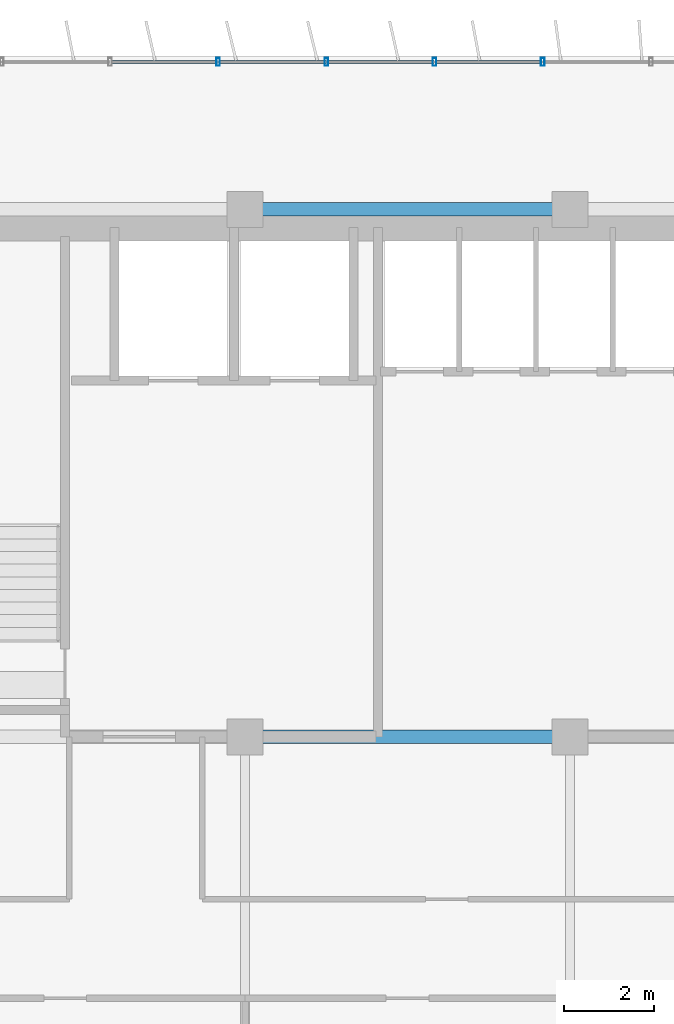
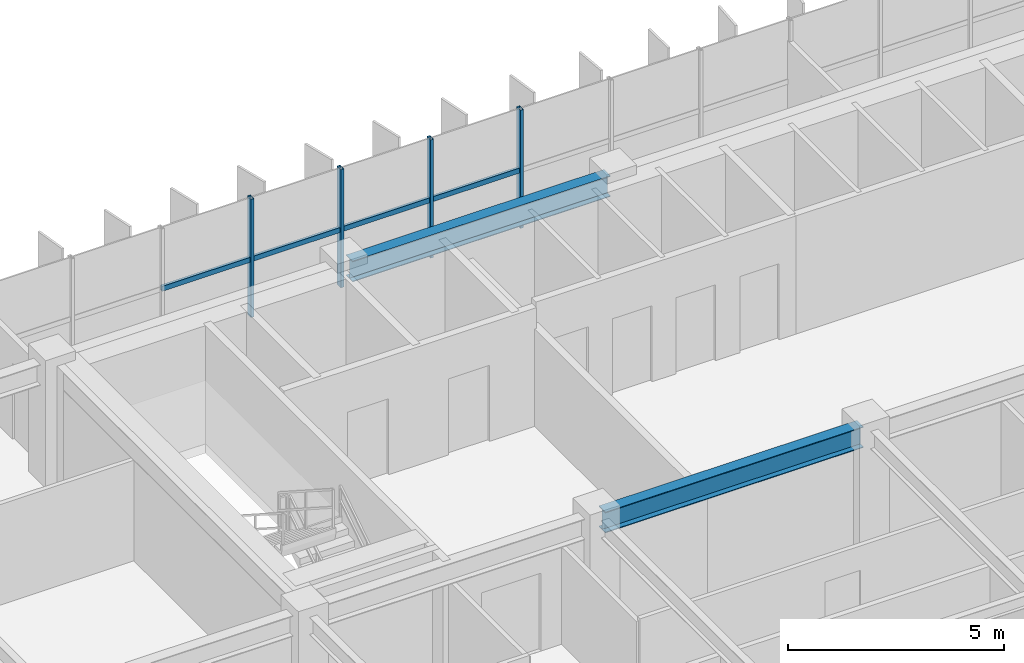
# One storey, part 6 of 22: 8 members, 2 beams, 1 element without a shape of its own.
"""IFC4 building model written with IfcOpenShell, lengths in metres."""

import ifcopenshell
import ifcopenshell.guid

model = None  # the IFC model being written
_history = None  # IfcOwnerHistory: only IFC2X3 demands one
_inside = {}  # id of a spatial element -> (the spatial element, [elements in it])
_under = {}  # id of a project, library or spatial element -> (it, [spatial elements below it])
_declared = {}  # id of a project -> (the project, [libraries it declares])
_typed = {}  # id of a type object -> (the type object, [elements of that type])
_made_of = {}  # id of a material, layer set ... -> (it, [elements and type objects made of it])


def new_model(schema):
    """Start an empty IFC model of exactly this schema.

    Asked for "IFC4X3", IfcOpenShell would pick the latest addendum, in which some entities
    have other attributes; the version numbers below select the first issue.
    IFC2X3 requires an IfcOwnerHistory on every rooted entity: one is made here for all.
    """
    global model, _history
    if schema == "IFC4X3":
        model = ifcopenshell.file(schema_version=(4, 3, 0, 0))
    else:
        model = ifcopenshell.file(schema=schema)
    _inside.clear()
    _under.clear()
    _declared.clear()
    _typed.clear()
    _made_of.clear()
    _history = None
    if model.schema == "IFC2X3":
        org = make("IfcOrganization", Name="unknown")
        user = make(
            "IfcPersonAndOrganization",
            ThePerson=make("IfcPerson", FamilyName="unknown"),
            TheOrganization=org,
        )
        app = make(
            "IfcApplication",
            ApplicationDeveloper=org,
            Version="unknown",
            ApplicationFullName="unknown",
            ApplicationIdentifier="unknown",
        )
        _history = make(
            "IfcOwnerHistory",
            OwningUser=user,
            OwningApplication=app,
            ChangeAction="ADDED",
            CreationDate=0,
        )
    return model


def make(cls, **values):
    """One entity of the class cls with the attributes given. An attribute that is None is left unset."""
    return model.create_entity(
        cls, **{name: value for name, value in values.items() if value is not None}
    )


def rooted(cls, **values):
    """An entity with a GlobalId (a new one), such as an element, a storey or a relation."""
    return make(cls, GlobalId=ifcopenshell.guid.new(), OwnerHistory=_history, **values)


def si_unit(unit_type, name, prefix=None):
    """IfcSIUnit, for example si_unit("LENGTHUNIT", "METRE", prefix="MILLI")."""
    return make("IfcSIUnit", UnitType=unit_type, Prefix=prefix, Name=name)


def assignment(units):
    """IfcUnitAssignment: the units of a project."""
    return None if units is None else make("IfcUnitAssignment", Units=units)


def point(xyz):
    """IfcCartesianPoint."""
    return None if xyz is None else make("IfcCartesianPoint", Coordinates=xyz)


def direction(xyz):
    """IfcDirection."""
    return None if xyz is None else make("IfcDirection", DirectionRatios=xyz)


def frame(location, z_axis=None, x_axis=None):
    """IfcAxis2Placement3D, a coordinate frame: its origin and axes. An axis left out is left unset."""
    return make(
        "IfcAxis2Placement3D",
        Location=point(location),
        Axis=direction(z_axis),
        RefDirection=direction(x_axis),
    )


def frame_2d(location, x_axis=None):
    """IfcAxis2Placement2D, a coordinate frame in the plane: its origin and x axis."""
    return make(
        "IfcAxis2Placement2D", Location=point(location), RefDirection=direction(x_axis)
    )


def origin():
    """The frame at (0, 0, 0) with its axes left unset."""
    return frame((0.0, 0.0, 0.0))


def origin_2d():
    """The frame at (0, 0) in the plane with its x axis left unset."""
    return frame_2d((0.0, 0.0))


def place(relative_to, where):
    """IfcLocalPlacement: puts the frame where relative to a parent placement (None: the world)."""
    return make(
        "IfcLocalPlacement", PlacementRelTo=relative_to, RelativePlacement=where
    )


def context(
    kind, dimensions, precision=None, world=None, true_north=None, identifier=None
):
    """IfcGeometricRepresentationContext, for example the 3D "Model" context."""
    return make(
        "IfcGeometricRepresentationContext",
        ContextIdentifier=identifier,
        ContextType=kind,
        CoordinateSpaceDimension=dimensions,
        Precision=precision,
        WorldCoordinateSystem=world,
        TrueNorth=true_north,
    )


def subcontext(parent, identifier, kind, view, scale=None):
    """IfcGeometricRepresentationSubContext, for example "Body" below "Model"."""
    return make(
        "IfcGeometricRepresentationSubContext",
        ContextIdentifier=identifier,
        ContextType=kind,
        ParentContext=parent,
        TargetScale=scale,
        TargetView=view,
    )


def project(units=None, contexts=None):
    """IfcProject with its units and contexts."""
    return rooted(
        "IfcProject",
        Name="project",
        RepresentationContexts=contexts,
        UnitsInContext=assignment(units),
    )


def spatial(cls, under=None, at=None, **own):
    """A site, building, storey or space (cls), placed at a placement, below another one or the project."""
    s = rooted(cls, ObjectPlacement=at, **own)
    if under is not None:
        _under.setdefault(under.id(), (under, []))[1].append(s)
    return s


def profile(cls, at=None, kind="AREA", **sizes):
    """A parametric profile (cls). Its sizes go by their IFC names, for example OverallWidth=200.0."""
    return make(cls, ProfileType=kind, Position=at, **sizes)


def hollow_rectangle(**sizes):
    """IfcRectangleHollowProfileDef."""
    return profile("IfcRectangleHollowProfileDef", **sizes)


def i_section(**sizes):
    """IfcIShapeProfileDef."""
    return profile("IfcIShapeProfileDef", **sizes)


def extrude(swept, where, along, depth):
    """IfcExtrudedAreaSolid: the profile swept, set in the frame where, extruded along a direction by depth."""
    return make(
        "IfcExtrudedAreaSolid",
        SweptArea=swept,
        Position=where,
        ExtrudedDirection=direction(along),
        Depth=depth,
    )


def shape(context_of_items, identifier, shape_type, items):
    """IfcShapeRepresentation: the items that make up one representation, for example the "Body"."""
    return make(
        "IfcShapeRepresentation",
        ContextOfItems=context_of_items,
        RepresentationIdentifier=identifier,
        RepresentationType=shape_type,
        Items=items,
    )


def source(mapping_origin, context_of_items, identifier, shape_type, items):
    """IfcRepresentationMap: a shape defined once, which mapped items show again and again."""
    return make(
        "IfcRepresentationMap",
        MappingOrigin=mapping_origin,
        MappedRepresentation=shape(context_of_items, identifier, shape_type, items),
    )


def transform(
    local_origin,
    x_axis=None,
    y_axis=None,
    z_axis=None,
    scale=None,
    scale2=None,
    scale3=None,
    uniform=True,
):
    """IfcCartesianTransformationOperator3D, or its non-uniform kind. x_axis, y_axis, z_axis: its Axis1, 2, 3."""
    if uniform:
        return make(
            "IfcCartesianTransformationOperator3D",
            Axis1=direction(x_axis),
            Axis2=direction(y_axis),
            LocalOrigin=point(local_origin),
            Scale=scale,
            Axis3=direction(z_axis),
        )
    return make(
        "IfcCartesianTransformationOperator3DnonUniform",
        Axis1=direction(x_axis),
        Axis2=direction(y_axis),
        LocalOrigin=point(local_origin),
        Scale=scale,
        Axis3=direction(z_axis),
        Scale2=scale2,
        Scale3=scale3,
    )


def mapped(mapping_source, mapping_target):
    """IfcMappedItem: shows the shape of a source again, moved by a transform."""
    return make(
        "IfcMappedItem", MappingSource=mapping_source, MappingTarget=mapping_target
    )


def material(Name=None, Category=None):
    """IfcMaterial."""
    return make("IfcMaterial", Name=Name, Category=Category)


def material_profile(
    of_material, cross_section, Name=None, Category=None, Priority=None
):
    """IfcMaterialProfile: a cross section and its material."""
    return make(
        "IfcMaterialProfile",
        Name=Name,
        Material=of_material,
        Profile=cross_section,
        Priority=Priority,
        Category=Category,
    )


def profile_set(profiles, Name=None, composite=None):
    """IfcMaterialProfileSet."""
    return make(
        "IfcMaterialProfileSet",
        Name=Name,
        MaterialProfiles=profiles,
        CompositeProfile=composite,
    )


def made_of(thing, what):
    """Note that an element or type object is made of a material, layer set ...; save() writes the relation."""
    if what is not None:
        _made_of.setdefault(what.id(), (what, []))[1].append(thing)
    return thing


def type_object(cls, material=None, **own):
    """A type object (cls), such as IfcWallType, which elements share."""
    return made_of(rooted(cls, **own), material)


def element(
    cls,
    number,
    at=None,
    inside=None,
    cuts=None,
    type_object=None,
    material=None,
    context=None,
    identifier="Body",
    shape_type=None,
    held_by="IfcProductDefinitionShape",
    body=None,
    shapes=None,
    **own,
):
    """One element of the class cls, such as IfcWall. Its Tag is "e" and its number.

    at: its placement. inside: the storey or other place that contains it. cuts: it is an
    opening in that element (IfcRelVoidsElement). A single representation is given by context,
    identifier, shape_type and body (its items); several are given by shapes. held_by: the class
    of the entity that holds the representations. save() writes the other relations.
    """
    e = rooted(cls, Tag="e%d" % number, ObjectPlacement=at, **own)
    if body is not None:
        shapes = [shape(context, identifier, shape_type, body)]
    if shapes is not None:
        e.Representation = make(held_by, Representations=shapes)
    if inside is not None:
        _inside.setdefault(inside.id(), (inside, []))[1].append(e)
    if cuts is not None:
        rooted(
            "IfcRelVoidsElement", RelatingBuildingElement=cuts, RelatedOpeningElement=e
        )
    if type_object is not None:
        _typed.setdefault(type_object.id(), (type_object, []))[1].append(e)
    return made_of(e, material)


def aggregate(whole, parts):
    """IfcRelAggregates: a whole, such as a stair, and the parts it consists of."""
    return rooted("IfcRelAggregates", RelatingObject=whole, RelatedObjects=parts)


def save(model, path):
    """Write the relations noted so far, then the file.

    IfcRelAggregates (storeys below a building ...), IfcRelContainedInSpatialStructure (elements
    in a storey), IfcRelDefinesByType, IfcRelAssociatesMaterial and IfcRelDeclares: one each for
    every whole, place, type object, material and project.
    """
    for whole, parts in _under.values():
        aggregate(whole, parts)
    for where, things in _inside.values():
        rooted(
            "IfcRelContainedInSpatialStructure",
            RelatedElements=things,
            RelatingStructure=where,
        )
    for kind, things in _typed.values():
        rooted("IfcRelDefinesByType", RelatedObjects=things, RelatingType=kind)
    for what, things in _made_of.values():
        rooted("IfcRelAssociatesMaterial", RelatedObjects=things, RelatingMaterial=what)
    for by, libraries in _declared.values():
        rooted("IfcRelDeclares", RelatingContext=by, RelatedDefinitions=libraries)
    model.write(path)


model = new_model("IFC4")

# Units and contexts
model_context = context("Model", 3, precision=1e-05, world=origin(), true_north=direction((0.0, 1.0)))
body_context = subcontext(model_context, "Body", "Model", "MODEL_VIEW")
ifc_project = project(units=[si_unit("LENGTHUNIT", "METRE"), si_unit("AREAUNIT", "SQUARE_METRE"), si_unit("VOLUMEUNIT", "CUBIC_METRE"), si_unit("PLANEANGLEUNIT", "RADIAN"), si_unit("MASSUNIT", "GRAM", prefix="KILO")], contexts=[model_context])

# Site, building, storey
site_placement = place(None, origin())
site = spatial("IfcSite", under=ifc_project, at=site_placement, CompositionType="ELEMENT")
building_placement = place(site_placement, origin())
building = spatial("IfcBuilding", under=site, at=building_placement, Name="Trelvane Seafront Commons", CompositionType="ELEMENT")
storey_placement = place(building_placement, frame((0.0, 0.0, 85.300048828125)))
storey = spatial("IfcBuildingStorey", under=building, at=storey_placement, Name="L21", CompositionType="ELEMENT", Elevation=85.300048828125)

# Beams
ifc_material_1 = material(Name="Steel SM355 (S355)", Category="steel")
ifc_material_profile_1 = material_profile(ifc_material_1, i_section(OverallWidth=0.300048828125, OverallDepth=0.587890625, WebThickness=0.011962890625, FlangeThickness=0.02001953125, at=origin_2d()), Name="H-588x300x12x20")
ifc_profile_set_1 = profile_set([ifc_material_profile_1], Name="Steel SM355 (S355)")
beam_type = type_object("IfcBeamType", Name="STR-BM-H588", PredefinedType="BEAM", material=ifc_profile_set_1)
shared_shape_1 = source(origin(), body_context, "Body", "SweptSolid", [
    extrude(i_section(OverallWidth=0.300048828125, OverallDepth=0.587890625, WebThickness=0.011962890625, FlangeThickness=0.02001953125, at=origin_2d()), origin(), (0.0, 0.0, 1.0), 6.89990234375),
])
for number, where, z_axis, x_axis, name in (
    (1, (23.550048828125, 33.39990234375, 3.0458984375), (1.0, 0.0, 0.0), (0.0, 1.0, 0.0), "L21 Primary Girder G-22"),
    (2, (23.550048828125, 45.10009765625, 3.0458984375), (1.0, 0.0, 0.0), (0.0, 1.0, 0.0), "L21 Primary Girder G-31"),
):
    element("IfcBeam", number, at=place(storey_placement, frame(where, z_axis=z_axis, x_axis=x_axis)), inside=storey, type_object=beam_type, Name=name, PredefinedType="BEAM", context=body_context, shape_type="MappedRepresentation", body=[
        mapped(shared_shape_1, transform((0.0, 0.0, 0.0), x_axis=(1.0, 0.0, 0.0), y_axis=(0.0, 1.0, 0.0), z_axis=(0.0, 0.0, 1.0), scale=1.0)),
    ])

# Curtain wall, members
ifc_material_2 = material(Name="Anodised pale-silver aluminium", Category="aluminium")
curtain_wall_type = type_object("IfcCurtainWallType", Name="ARCH-CW4-SKYLOBBY", PredefinedType="NOTDEFINED", material=ifc_material_2)
curtain_wall_placement = place(storey_placement, origin())
curtain_wall = element("IfcCurtainWall", 3, at=curtain_wall_placement, inside=storey, type_object=curtain_wall_type, Name="CW-L21-0046", PredefinedType="NOTDEFINED")
ifc_material_profile_2 = material_profile(ifc_material_2, hollow_rectangle(XDim=0.074951171875, YDim=0.139892578125, WallThickness=0.00390625, at=origin_2d()), Name="TRAN-75x140x4")
ifc_profile_set_2 = profile_set([ifc_material_profile_2], Name="Anodised pale-silver aluminium")
member_type_1 = type_object("IfcMemberType", Name="ARCH-CW-TRAN-140", PredefinedType="USERDEFINED", material=ifc_profile_set_2)
shared_shape_2 = source(origin(), body_context, "Body", "SweptSolid", [
    extrude(hollow_rectangle(XDim=0.074951171875, YDim=0.139892578125, WallThickness=0.00390625, at=origin_2d()), origin(), (0.0, 0.0, 1.0), 2.3759765625),
])
member_1_placement = place(storey_placement, frame((20.412109375, 48.3701171875, 1.60302734375), z_axis=(1.0, 0.0, 0.0), x_axis=(0.0, 1.0, 0.0)))
member_1 = element("IfcMember", 4, at=member_1_placement, type_object=member_type_1, Name="CW-L21-0046-T02", ObjectType="TRANSOM", PredefinedType="USERDEFINED", context=body_context, shape_type="MappedRepresentation", body=[
    mapped(shared_shape_2, transform((0.0, 0.0, 0.0), x_axis=(1.0, 0.0, 0.0), y_axis=(0.0, 1.0, 0.0), z_axis=(0.0, 0.0, 1.0), scale=1.0)),
])
member_2_placement = place(storey_placement, frame((22.81201171875, 48.3701171875, 1.60302734375), z_axis=(1.0, 0.0, 0.0), x_axis=(0.0, 1.0, 0.0)))
member_2 = element("IfcMember", 5, at=member_2_placement, type_object=member_type_1, Name="CW-L21-0046-T03", ObjectType="TRANSOM", PredefinedType="USERDEFINED", context=body_context, shape_type="MappedRepresentation", body=[
    mapped(shared_shape_2, transform((0.0, 0.0, 0.0), x_axis=(1.0, 0.0, 0.0), y_axis=(0.0, 1.0, 0.0), z_axis=(0.0, 0.0, 1.0), scale=1.0)),
])
member_3_placement = place(storey_placement, frame((25.2119140625, 48.3701171875, 1.60302734375), z_axis=(1.0, 0.0, 0.0), x_axis=(0.0, 1.0, 0.0)))
member_3 = element("IfcMember", 6, at=member_3_placement, type_object=member_type_1, Name="CW-L21-0046-T04", ObjectType="TRANSOM", PredefinedType="USERDEFINED", context=body_context, shape_type="MappedRepresentation", body=[
    mapped(shared_shape_2, transform((0.0, 0.0, 0.0), x_axis=(1.0, 0.0, 0.0), y_axis=(0.0, 1.0, 0.0), z_axis=(0.0, 0.0, 1.0), scale=1.0)),
])
member_4_placement = place(storey_placement, frame((27.612060546875, 48.3701171875, 1.60302734375), z_axis=(1.0, 0.0, 0.0), x_axis=(0.0, 1.0, 0.0)))
member_4 = element("IfcMember", 7, at=member_4_placement, type_object=member_type_1, Name="CW-L21-0046-T05", ObjectType="TRANSOM", PredefinedType="USERDEFINED", context=body_context, shape_type="MappedRepresentation", body=[
    mapped(shared_shape_2, transform((0.0, 0.0, 0.0), x_axis=(1.0, 0.0, 0.0), y_axis=(0.0, 1.0, 0.0), z_axis=(0.0, 0.0, 1.0), scale=1.0)),
])
ifc_material_profile_3 = material_profile(ifc_material_2, hollow_rectangle(XDim=0.080078125, YDim=0.179931640625, WallThickness=0.00439453125, at=origin_2d()), Name="MULL-80x180x4.5")
ifc_profile_set_3 = profile_set([ifc_material_profile_3], Name="Anodised pale-silver aluminium")
member_type_2 = type_object("IfcMemberType", Name="ARCH-CW-MULL-180", PredefinedType="MULLION", material=ifc_profile_set_3)
shared_shape_3 = source(origin(), body_context, "Body", "SweptSolid", [
    extrude(hollow_rectangle(XDim=0.080078125, YDim=0.179931640625, WallThickness=0.00439453125, at=origin_2d()), origin(), (0.0, 0.0, 1.0), 3.33984375),
])
member_5_placement = place(storey_placement, frame((22.800048828125, 48.3701171875, 0.0), z_axis=(0.0, 0.0, 1.0), x_axis=(1.0, 0.0, 0.0)))
member_5 = element("IfcMember", 8, at=member_5_placement, type_object=member_type_2, Name="CW-L21-0046-M03", PredefinedType="MULLION", context=body_context, shape_type="MappedRepresentation", body=[
    mapped(shared_shape_3, transform((0.0, 0.0, 0.0), x_axis=(1.0, 0.0, 0.0), y_axis=(0.0, 1.0, 0.0), z_axis=(0.0, 0.0, 1.0), scale=1.0)),
])
member_6_placement = place(storey_placement, frame((25.199951171875, 48.3701171875, 0.0), z_axis=(0.0, 0.0, 1.0), x_axis=(1.0, 0.0, 0.0)))
member_6 = element("IfcMember", 9, at=member_6_placement, type_object=member_type_2, Name="CW-L21-0046-M04", PredefinedType="MULLION", context=body_context, shape_type="MappedRepresentation", body=[
    mapped(shared_shape_3, transform((0.0, 0.0, 0.0), x_axis=(1.0, 0.0, 0.0), y_axis=(0.0, 1.0, 0.0), z_axis=(0.0, 0.0, 1.0), scale=1.0)),
])
member_7_placement = place(storey_placement, frame((27.60009765625, 48.3701171875, 0.0), z_axis=(0.0, 0.0, 1.0), x_axis=(1.0, 0.0, 0.0)))
member_7 = element("IfcMember", 10, at=member_7_placement, type_object=member_type_2, Name="CW-L21-0046-M05", PredefinedType="MULLION", context=body_context, shape_type="MappedRepresentation", body=[
    mapped(shared_shape_3, transform((0.0, 0.0, 0.0), x_axis=(1.0, 0.0, 0.0), y_axis=(0.0, 1.0, 0.0), z_axis=(0.0, 0.0, 1.0), scale=1.0)),
])
member_8_placement = place(storey_placement, frame((30.0, 48.3701171875, 0.0), z_axis=(0.0, 0.0, 1.0), x_axis=(1.0, 0.0, 0.0)))
member_8 = element("IfcMember", 11, at=member_8_placement, type_object=member_type_2, Name="CW-L21-0046-M06", PredefinedType="MULLION", context=body_context, shape_type="MappedRepresentation", body=[
    mapped(shared_shape_3, transform((0.0, 0.0, 0.0), x_axis=(1.0, 0.0, 0.0), y_axis=(0.0, 1.0, 0.0), z_axis=(0.0, 0.0, 1.0), scale=1.0)),
])
aggregate(curtain_wall, [member_5, member_6, member_7, member_8, member_1, member_2, member_3, member_4])

save(model, "model.ifc")
